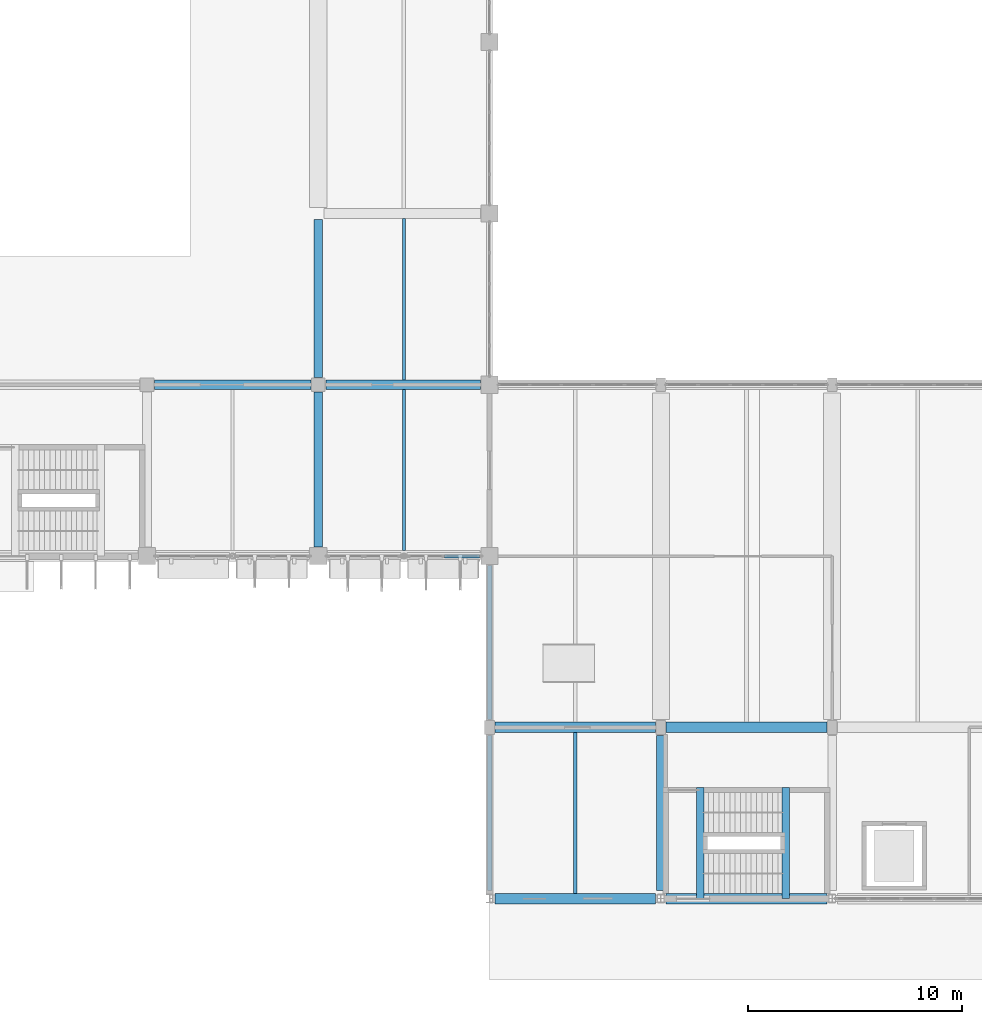
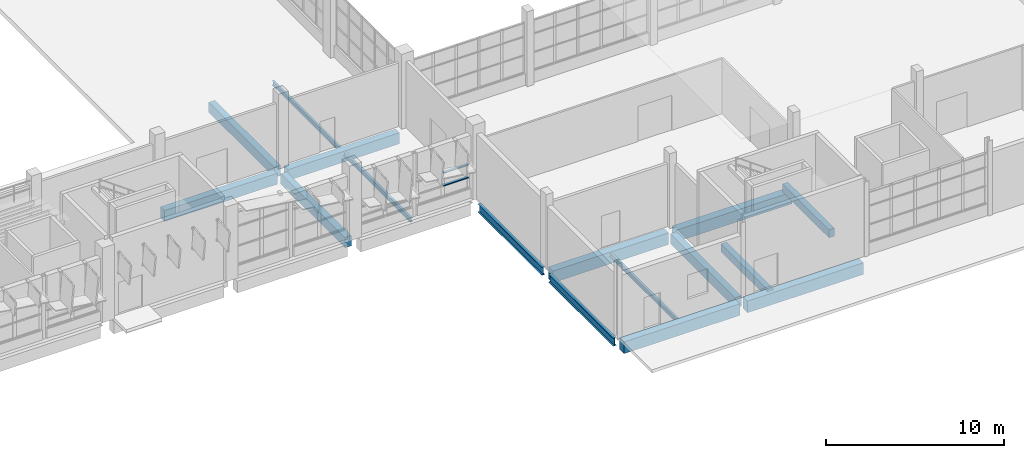
# One storey, part 19 of 103: 16 beams, 2 members, 1 element without a shape of its own.
"""IFC4 building model written with IfcOpenShell, lengths in metres."""

from ifc_helpers import new_model, si_unit, direction, frame, origin, origin_2d, place, context, subcontext, project, spatial, rectangle, i_section, extrude, material, layer, layer_set, material_profile, profile_set, type_object, element, aggregate, save


model = new_model("IFC4")

# Units and contexts
model_context = context("Model", 3, precision=1e-05, world=origin(), true_north=direction((0.0, 1.0)))
body_context = subcontext(model_context, "Body", "Model", "MODEL_VIEW")
ifc_project = project(units=[si_unit("LENGTHUNIT", "METRE"), si_unit("AREAUNIT", "SQUARE_METRE"), si_unit("VOLUMEUNIT", "CUBIC_METRE"), si_unit("PLANEANGLEUNIT", "RADIAN"), si_unit("MASSUNIT", "GRAM", prefix="KILO")], contexts=[model_context])

# Site, building, storey
site_placement = place(None, origin())
site = spatial("IfcSite", under=ifc_project, at=site_placement, CompositionType="ELEMENT")
building_placement = place(site_placement, origin())
building = spatial("IfcBuilding", under=site, at=building_placement, Name="Drelvana Railside Aquatics Centre", CompositionType="ELEMENT")
storey_placement = place(building_placement, origin())
storey = spatial("IfcBuildingStorey", under=building, at=storey_placement, Name="L00", CompositionType="ELEMENT", Elevation=0.0)

# Curtain wall, members
ifc_material_1 = material(Name="Bronze-anodised aluminium curtain wall", Category="aluminium")
ifc_layer = layer(ifc_material_1, 0.199951171875, Name="Bronze-anodised aluminium curtain wall")
ifc_layer_set = layer_set([ifc_layer], Name="Bronze-anodised aluminium curtain wall")
curtain_wall_type = type_object("IfcCurtainWallType", Name="CW-Z1-SINE", PredefinedType="NOTDEFINED", material=ifc_layer_set)
curtain_wall_placement = place(storey_placement, origin())
curtain_wall = element("IfcCurtainWall", 1, at=curtain_wall_placement, inside=storey, type_object=curtain_wall_type, Name="Curtain wall CW-01-016", PredefinedType="NOTDEFINED")
ifc_material_2 = material(Name="Bronze-anodised aluminium 6063-T6", Category="aluminium")
ifc_material_profile_1 = material_profile(ifc_material_2, rectangle(XDim=0.159912109375, YDim=0.070068359375, at=origin_2d()), Name="ALU-T 70x160")
ifc_profile_set_1 = profile_set([ifc_material_profile_1], Name="Bronze-anodised aluminium 6063-T6")
member_type = type_object("IfcMemberType", Name="CW-Z1-SINE-TRN", PredefinedType="USERDEFINED", material=ifc_profile_set_1)
member_1_placement = place(storey_placement, frame((93.905517578125, 16.0, 1.3798828125), z_axis=(1.0, 0.0, 0.0), x_axis=(0.0, 1.0, 0.0)))
member_1 = element("IfcMember", 2, at=member_1_placement, type_object=member_type, Name="CW-01 transom 2.2", ObjectType="TRANSOM", PredefinedType="USERDEFINED", context=body_context, shape_type="SweptSolid", body=[
    extrude(rectangle(XDim=0.159912109375, YDim=0.070068359375, at=origin_2d()), origin(), (0.0, 0.0, 1.0), 1.63037109375),
])
member_2_placement = place(storey_placement, frame((93.905517578125, 16.0, 2.243896484375), z_axis=(1.0, 0.0, 0.0), x_axis=(0.0, 1.0, 0.0)))
member_2 = element("IfcMember", 3, at=member_2_placement, type_object=member_type, Name="CW-01 transom 2.3", ObjectType="TRANSOM", PredefinedType="USERDEFINED", context=body_context, shape_type="SweptSolid", body=[
    extrude(rectangle(XDim=0.159912109375, YDim=0.070068359375, at=origin_2d()), origin(), (0.0, 0.0, 1.0), 1.63037109375),
])
aggregate(curtain_wall, [member_1, member_2])

# Beams
ifc_material_3 = material(Name="Concrete C40/50", Category="concrete")
ifc_material_profile_2 = material_profile(ifc_material_3, rectangle(XDim=0.35009765625, YDim=0.550048828125, at=origin_2d()), Name="RC 350x550")
ifc_profile_set_2 = profile_set([ifc_material_profile_2], Name="Concrete C40/50")
beam_type_1 = type_object("IfcBeamType", Name="STR-BM-BM-01-RC-350x550", PredefinedType="BEAM", material=ifc_profile_set_2)
for number, where, z_axis, x_axis, name in (
    (4, (105.85009765625, 0.0, -0.47509765625), (0.0, 1.0, 0.0), (-1.0, 0.0, 0.0), "Stair ST-04 L00 landing beam"),
    (5, (109.840087890625, 0.0, 2.22509765625), (0.0, 1.0, 0.0), (-1.0, 0.0, 0.0), "Stair ST-04 L00 mid-landing beam"),
):
    element("IfcBeam", number, at=place(storey_placement, frame(where, z_axis=z_axis, x_axis=x_axis)), inside=storey, type_object=beam_type_1, Name=name, PredefinedType="BEAM", context=body_context, shape_type="SweptSolid", body=[
        extrude(rectangle(XDim=0.35009765625, YDim=0.550048828125, at=origin_2d()), origin(), (0.0, 0.0, 1.0), 5.199951171875),
    ])
ifc_material_profile_3 = material_profile(ifc_material_3, rectangle(XDim=0.39990234375, YDim=0.699951171875, at=origin_2d()), Name="RC 400x700")
ifc_profile_set_3 = profile_set([ifc_material_profile_3], Name="Concrete C40/50")
beam_type_2 = type_object("IfcBeamType", Name="STR-BM-BM-03-RC-400x700", PredefinedType="BEAM", material=ifc_profile_set_3)
beam_1_placement = place(storey_placement, frame((88.0, 16.425048828125, -0.679931640625), z_axis=(0.0, 1.0, 0.0), x_axis=(-1.0, 0.0, 0.0)))
element("IfcBeam", 6, at=beam_1_placement, inside=storey, type_object=beam_type_2, Name="Girder BM-03 (L00)", PredefinedType="BEAM", context=body_context, shape_type="SweptSolid", body=[
    extrude(rectangle(XDim=0.39990234375, YDim=0.699951171875, at=origin_2d()), origin(), (0.0, 0.0, 1.0), 7.224853515625),
])
beam_2_placement = place(storey_placement, frame((88.0, 24.35009765625, -0.679931640625), z_axis=(0.0, 1.0, 0.0), x_axis=(-1.0, 0.0, 0.0)))
element("IfcBeam", 7, at=beam_2_placement, inside=storey, type_object=beam_type_2, Name="Girder BM-03 (L00)", PredefinedType="BEAM", context=body_context, shape_type="SweptSolid", body=[
    extrude(rectangle(XDim=0.39990234375, YDim=0.699951171875, at=origin_2d()), origin(), (0.0, 0.0, 1.0), 7.375),
])
beam_3_placement = place(storey_placement, frame((104.0, 0.375, -0.679931640625), z_axis=(0.0, 1.0, 0.0), x_axis=(-1.0, 0.0, 0.0)))
element("IfcBeam", 8, at=beam_3_placement, inside=storey, type_object=beam_type_2, Name="Girder BM-03 (L00)", PredefinedType="BEAM", context=body_context, shape_type="SweptSolid", body=[
    extrude(rectangle(XDim=0.39990234375, YDim=0.699951171875, at=origin_2d()), origin(), (0.0, 0.0, 1.0), 7.25),
])
ifc_material_profile_4 = material_profile(ifc_material_3, rectangle(XDim=0.449951171875, YDim=0.75, at=origin_2d()), Name="RC 450x750")
ifc_profile_set_4 = profile_set([ifc_material_profile_4], Name="Concrete C40/50")
beam_type_3 = type_object("IfcBeamType", Name="STR-BM-BM-04-RC-450x750", PredefinedType="BEAM", material=ifc_profile_set_4)
beam_4_placement = place(storey_placement, frame((80.35009765625, 24.0, -0.705078125), z_axis=(1.0, 0.0, 0.0), x_axis=(0.0, 1.0, 0.0)))
element("IfcBeam", 9, at=beam_4_placement, inside=storey, type_object=beam_type_3, Name="Girder BM-04 (L00)", PredefinedType="BEAM", context=body_context, shape_type="SweptSolid", body=[
    extrude(rectangle(XDim=0.449951171875, YDim=0.75, at=origin_2d()), origin(), (0.0, 0.0, 1.0), 7.2998046875),
])
beam_5_placement = place(storey_placement, frame((88.35009765625, 24.0, -0.705078125), z_axis=(1.0, 0.0, 0.0), x_axis=(0.0, 1.0, 0.0)))
element("IfcBeam", 10, at=beam_5_placement, inside=storey, type_object=beam_type_3, Name="Girder BM-04 (L00)", PredefinedType="BEAM", context=body_context, shape_type="SweptSolid", body=[
    extrude(rectangle(XDim=0.449951171875, YDim=0.75, at=origin_2d()), origin(), (0.0, 0.0, 1.0), 7.224853515625),
])
ifc_material_profile_5 = material_profile(ifc_material_3, rectangle(XDim=0.5, YDim=0.800048828125, at=origin_2d()), Name="RC 500x800")
ifc_profile_set_5 = profile_set([ifc_material_profile_5], Name="Concrete C40/50")
beam_type_4 = type_object("IfcBeamType", Name="STR-BM-BM-06-RC-500x800", PredefinedType="SPANDREL", material=ifc_profile_set_5)
for number, where, z_axis, x_axis, name in (
    (11, (96.25, 0.0, -0.72998046875), (1.0, 0.0, 0.0), (0.0, 1.0, 0.0), "Girder BM-06 (L00)"),
    (12, (104.25, 0.0, -0.72998046875), (1.0, 0.0, 0.0), (0.0, 1.0, 0.0), "Girder BM-06 (L00)"),
    (13, (96.25, 8.0, -0.72998046875), (1.0, 0.0, 0.0), (0.0, 1.0, 0.0), "Girder BM-06 (L00)"),
    (14, (104.25, 8.0, -0.72998046875), (1.0, 0.0, 0.0), (0.0, 1.0, 0.0), "Girder BM-06 (L00)"),
):
    element("IfcBeam", number, at=place(storey_placement, frame(where, z_axis=z_axis, x_axis=x_axis)), inside=storey, type_object=beam_type_4, Name=name, PredefinedType="SPANDREL", context=body_context, shape_type="SweptSolid", body=[
        extrude(rectangle(XDim=0.5, YDim=0.800048828125, at=origin_2d()), origin(), (0.0, 0.0, 1.0), 7.5),
    ])
ifc_material_4 = material(Name="Structural steel S355", Category="steel")
ifc_material_profile_6 = material_profile(ifc_material_4, i_section(OverallWidth=0.2099609375, OverallDepth=0.550048828125, WebThickness=0.010986328125, FlangeThickness=0.01708984375, at=origin_2d()), Name="IPE 550")
ifc_profile_set_6 = profile_set([ifc_material_profile_6], Name="Structural steel S355")
beam_type_5 = type_object("IfcBeamType", Name="STR-SBM-SB-04-IPE-550", PredefinedType="SPANDREL", material=ifc_profile_set_6)
beam_6_placement = place(storey_placement, frame((96.0, 0.375, -0.60498046875), z_axis=(0.0, 1.0, 0.0), x_axis=(-1.0, 0.0, 0.0)))
element("IfcBeam", 15, at=beam_6_placement, inside=storey, type_object=beam_type_5, Name="Girder SB-04 (L00)", PredefinedType="SPANDREL", context=body_context, shape_type="SweptSolid", body=[
    extrude(i_section(OverallWidth=0.2099609375, OverallDepth=0.550048828125, WebThickness=0.010986328125, FlangeThickness=0.01708984375, at=origin_2d()), origin(), (0.0, 0.0, 1.0), 7.25),
])
beam_7_placement = place(storey_placement, frame((96.0, 8.375, -0.60498046875), z_axis=(0.0, 1.0, 0.0), x_axis=(-1.0, 0.0, 0.0)))
element("IfcBeam", 16, at=beam_7_placement, inside=storey, type_object=beam_type_5, Name="Girder SB-04 (L00)", PredefinedType="SPANDREL", context=body_context, shape_type="SweptSolid", body=[
    extrude(i_section(OverallWidth=0.2099609375, OverallDepth=0.550048828125, WebThickness=0.010986328125, FlangeThickness=0.01708984375, at=origin_2d()), origin(), (0.0, 0.0, 1.0), 7.175048828125),
])
ifc_material_profile_7 = material_profile(ifc_material_4, i_section(OverallWidth=0.14990234375, OverallDepth=0.300048828125, WebThickness=0.007080078125, FlangeThickness=0.0107421875, at=origin_2d()), Name="IPE 300")
ifc_profile_set_7 = profile_set([ifc_material_profile_7], Name="Structural steel S355")
beam_type_6 = type_object("IfcBeamType", Name="STR-SBM-SJ-03-IPE-300", PredefinedType="JOIST", material=ifc_profile_set_7)
beam_8_placement = place(storey_placement, frame((92.0, 16.25, -0.47998046875), z_axis=(0.0, 1.0, 0.0), x_axis=(-1.0, 0.0, 0.0)))
element("IfcBeam", 17, at=beam_8_placement, inside=storey, type_object=beam_type_6, Name="Secondary floor joist SJ-03 (L00)", PredefinedType="JOIST", context=body_context, shape_type="SweptSolid", body=[
    extrude(i_section(OverallWidth=0.14990234375, OverallDepth=0.300048828125, WebThickness=0.007080078125, FlangeThickness=0.0107421875, at=origin_2d()), origin(), (0.0, 0.0, 1.0), 7.52490234375),
])
beam_9_placement = place(storey_placement, frame((92.0, 24.22509765625, -0.47998046875), z_axis=(0.0, 1.0, 0.0), x_axis=(-1.0, 0.0, 0.0)))
element("IfcBeam", 18, at=beam_9_placement, inside=storey, type_object=beam_type_6, Name="Secondary floor joist SJ-03 (L00)", PredefinedType="JOIST", context=body_context, shape_type="SweptSolid", body=[
    extrude(i_section(OverallWidth=0.14990234375, OverallDepth=0.300048828125, WebThickness=0.007080078125, FlangeThickness=0.0107421875, at=origin_2d()), origin(), (0.0, 0.0, 1.0), 7.5498046875),
])
beam_10_placement = place(storey_placement, frame((100.0, 0.25, -0.47998046875), z_axis=(0.0, 1.0, 0.0), x_axis=(-1.0, 0.0, 0.0)))
element("IfcBeam", 19, at=beam_10_placement, inside=storey, type_object=beam_type_6, Name="Secondary floor joist SJ-03 (L00)", PredefinedType="JOIST", context=body_context, shape_type="SweptSolid", body=[
    extrude(i_section(OverallWidth=0.14990234375, OverallDepth=0.300048828125, WebThickness=0.007080078125, FlangeThickness=0.0107421875, at=origin_2d()), origin(), (0.0, 0.0, 1.0), 7.5),
])

save(model, "model.ifc")
